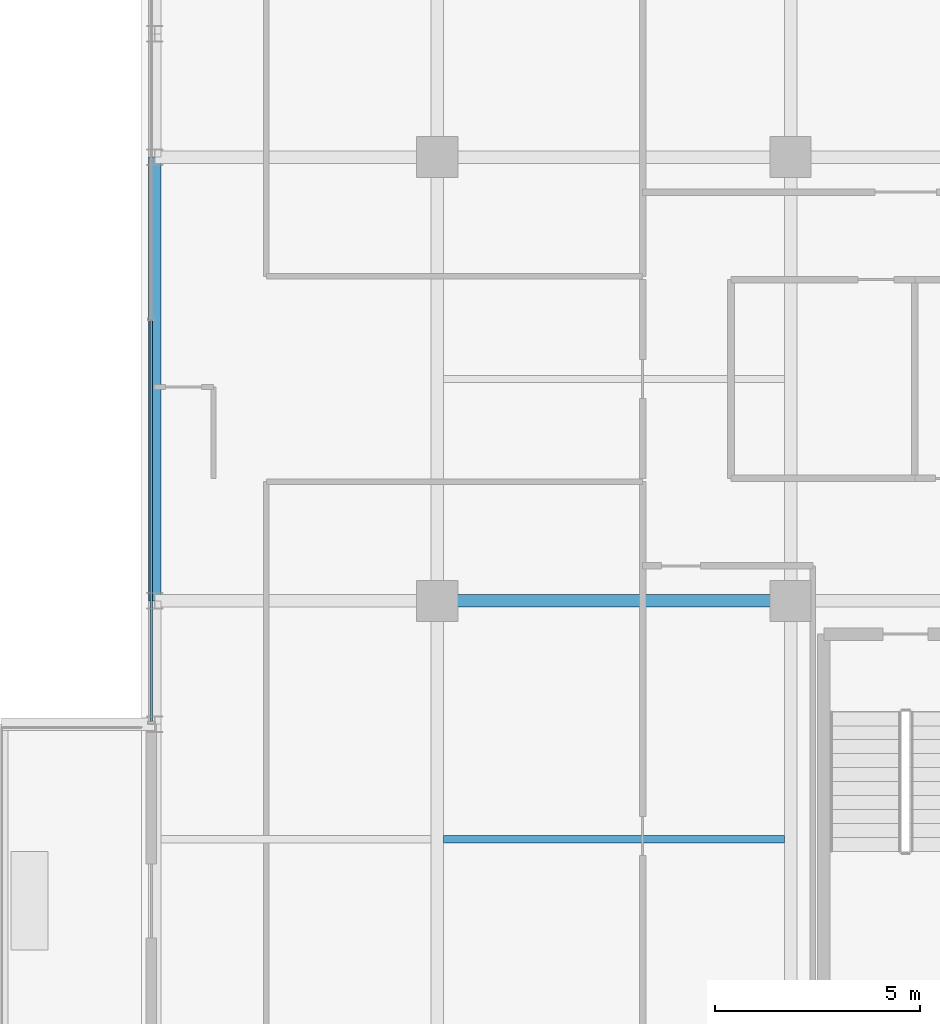
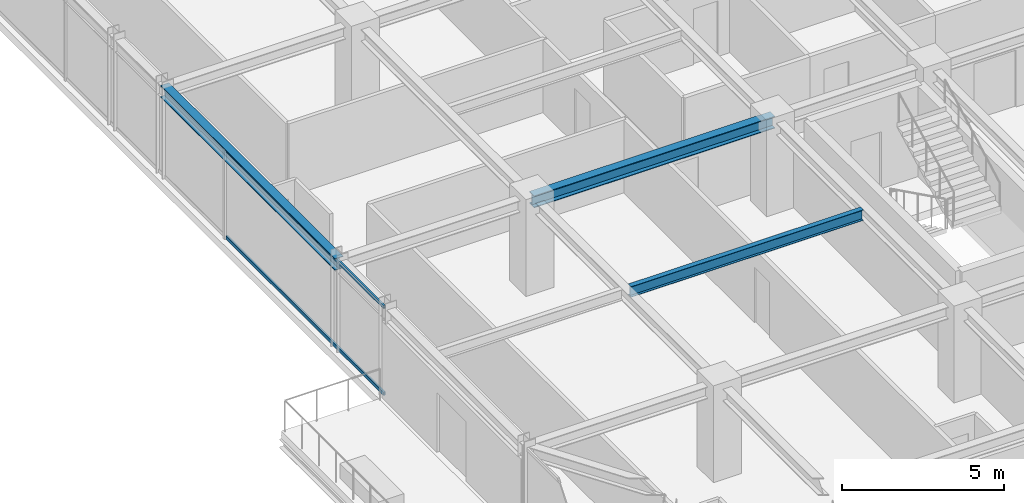
# One storey, part 9 of 35: 3 beams, 2 members, 1 element without a shape of its own.
"""IFC4 building model written with IfcOpenShell, lengths in metres."""

from ifc_helpers import new_model, si_unit, direction, frame, origin, origin_2d, place, context, subcontext, project, spatial, hollow_rectangle, i_section, extrude, source, transform, mapped, material, material_profile, profile_set, type_object, element, aggregate, save


model = new_model("IFC4")

# Units and contexts
model_context = context("Model", 3, precision=1e-05, world=origin(), true_north=direction((0.0, 1.0)))
body_context = subcontext(model_context, "Body", "Model", "MODEL_VIEW")
ifc_project = project(units=[si_unit("LENGTHUNIT", "METRE"), si_unit("AREAUNIT", "SQUARE_METRE"), si_unit("VOLUMEUNIT", "CUBIC_METRE"), si_unit("PLANEANGLEUNIT", "RADIAN"), si_unit("MASSUNIT", "GRAM", prefix="KILO")], contexts=[model_context])

# Site, building, storey
site_placement = place(None, origin())
site = spatial("IfcSite", under=ifc_project, at=site_placement, CompositionType="ELEMENT")
building_placement = place(site_placement, origin())
building = spatial("IfcBuilding", under=site, at=building_placement, Name="Nahalor Promenade Grand Hotel", CompositionType="ELEMENT")
storey_placement = place(building_placement, frame((0.0, 0.0, 216.0)))
storey = spatial("IfcBuildingStorey", under=building, at=storey_placement, Name="L55", CompositionType="ELEMENT", Elevation=216.0)

# Beams
ifc_material_1 = material(Name="Steel S355JR", Category="steel")
ifc_material_profile_1 = material_profile(ifc_material_1, i_section(OverallWidth=0.3, OverallDepth=0.45, WebThickness=0.014, FlangeThickness=0.026, at=origin_2d()), Name="HEB 450")
ifc_profile_set_1 = profile_set([ifc_material_profile_1], Name="Steel S355JR")
beam_type_1 = type_object("IfcBeamType", Name="Beam-Spandrel-HEB450", PredefinedType="SPANDREL", material=ifc_profile_set_1)
shared_shape_1 = source(origin(), body_context, "Body", "SweptSolid", [
    extrude(i_section(OverallWidth=0.3, OverallDepth=0.45, WebThickness=0.014, FlangeThickness=0.026, at=origin_2d()), origin(), (0.0, 0.0, 1.0), 10.7998046875),
])
beam_1_placement = place(storey_placement, frame((-23.8798828125, -5.39990234375, 3.18505859375), z_axis=(0.0, 1.0, 0.0), x_axis=(-1.0, 0.0, 0.0)))
element("IfcBeam", 1, at=beam_1_placement, inside=storey, type_object=beam_type_1, Name="BM-L55-SP-W-2", PredefinedType="SPANDREL", context=body_context, shape_type="MappedRepresentation", body=[
    mapped(shared_shape_1, transform((0.0, 0.0, 0.0), scale=1.0)),
])
ifc_material_profile_2 = material_profile(ifc_material_1, i_section(OverallWidth=0.3, OverallDepth=0.45, WebThickness=0.014, FlangeThickness=0.026, at=origin_2d()), Name="HEB 450")
ifc_profile_set_2 = profile_set([ifc_material_profile_2], Name="Steel S355JR")
beam_type_2 = type_object("IfcBeamType", Name="Beam-Girder-HEB450", PredefinedType="BEAM", material=ifc_profile_set_2)
shared_shape_2 = source(origin(), body_context, "Body", "SweptSolid", [
    extrude(i_section(OverallWidth=0.3, OverallDepth=0.45, WebThickness=0.014, FlangeThickness=0.026, at=origin_2d()), origin(), (0.0, 0.0, 1.0), 8.60009765625),
])
beam_2_placement = place(storey_placement, frame((-17.0, -5.39990234375, 3.18505859375), z_axis=(1.0, 0.0, 0.0), x_axis=(0.0, 1.0, 0.0)))
element("IfcBeam", 2, at=beam_2_placement, inside=storey, type_object=beam_type_2, Name="BM-L55-GX-1-1", PredefinedType="BEAM", context=body_context, shape_type="MappedRepresentation", body=[
    mapped(shared_shape_2, transform((0.0, 0.0, 0.0), scale=1.0)),
])
ifc_material_profile_3 = material_profile(ifc_material_1, i_section(OverallWidth=0.18, OverallDepth=0.4, WebThickness=0.0086, FlangeThickness=0.0135, at=origin_2d()), Name="IPE 400")
ifc_profile_set_3 = profile_set([ifc_material_profile_3], Name="Steel S355JR")
beam_type_3 = type_object("IfcBeamType", Name="Beam-Joist-IPE400", PredefinedType="JOIST", material=ifc_profile_set_3)
shared_shape_3 = source(origin(), body_context, "Body", "SweptSolid", [
    extrude(i_section(OverallWidth=0.18, OverallDepth=0.4, WebThickness=0.0086, FlangeThickness=0.0135, at=origin_2d()), origin(), (0.0, 0.0, 1.0), 8.300048828125),
])
beam_3_placement = place(storey_placement, frame((-16.85009765625, -11.199951171875, 3.2099609375), z_axis=(1.0, 0.0, 0.0), x_axis=(0.0, 1.0, 0.0)))
element("IfcBeam", 3, at=beam_3_placement, inside=storey, type_object=beam_type_3, Name="BM-L55-JSW-0-1", PredefinedType="JOIST", context=body_context, shape_type="MappedRepresentation", body=[
    mapped(shared_shape_3, transform((0.0, 0.0, 0.0), scale=1.0)),
])

# Curtain wall, members
ifc_material_2 = material(Name="Anodised Bronze Aluminium EN AW-6063 T6", Category="aluminium")
curtain_wall_type = type_object("IfcCurtainWallType", Name="CW2 Typical Hotel Flush Bronze Unitised Curtain Wall", PredefinedType="USERDEFINED", material=ifc_material_2)
curtain_wall_placement = place(storey_placement, origin())
curtain_wall = element("IfcCurtainWall", 4, at=curtain_wall_placement, inside=storey, type_object=curtain_wall_type, Name="L55 Curtain Wall CW-L55-W-3", ObjectType="UNITISED_CURTAIN_WALL", PredefinedType="USERDEFINED")
ifc_material_profile_4 = material_profile(ifc_material_2, hollow_rectangle(XDim=0.065, YDim=0.13, WallThickness=0.004, at=origin_2d()), Name="CWT 65x130x4")
ifc_profile_set_4 = profile_set([ifc_material_profile_4], Name="Anodised Bronze Aluminium EN AW-6063 T6")
member_type = type_object("IfcMemberType", Name="CWT2 Typical Bronze Transom 65x130", PredefinedType="USERDEFINED", material=ifc_profile_set_4)
shared_shape_4 = source(origin(), body_context, "Body", "SweptSolid", [
    extrude(hollow_rectangle(XDim=0.065, YDim=0.13, WallThickness=0.004, at=origin_2d()), origin(), (0.0, 0.0, 1.0), 9.755859375),
])
member_1_placement = place(storey_placement, frame((-23.9599609375, -8.3349609375, 0.06494140625), z_axis=(0.0, 1.0, 0.0), x_axis=(-1.0, 0.0, 0.0)))
member_1 = element("IfcMember", 5, at=member_1_placement, type_object=member_type, Name="CW-L55-W-3 Transom 0-0", ObjectType="TRANSOM", PredefinedType="USERDEFINED", context=body_context, shape_type="MappedRepresentation", body=[
    mapped(shared_shape_4, transform((0.0, 0.0, 0.0), scale=1.0)),
])
member_2_placement = place(storey_placement, frame((-23.9599609375, -8.3349609375, 3.344970703125), z_axis=(0.0, 1.0, 0.0), x_axis=(-1.0, 0.0, 0.0)))
member_2 = element("IfcMember", 6, at=member_2_placement, type_object=member_type, Name="CW-L55-W-3 Transom 0-1", ObjectType="TRANSOM", PredefinedType="USERDEFINED", context=body_context, shape_type="MappedRepresentation", body=[
    mapped(shared_shape_4, transform((0.0, 0.0, 0.0), scale=1.0)),
])
aggregate(curtain_wall, [member_1, member_2])

save(model, "model.ifc")
